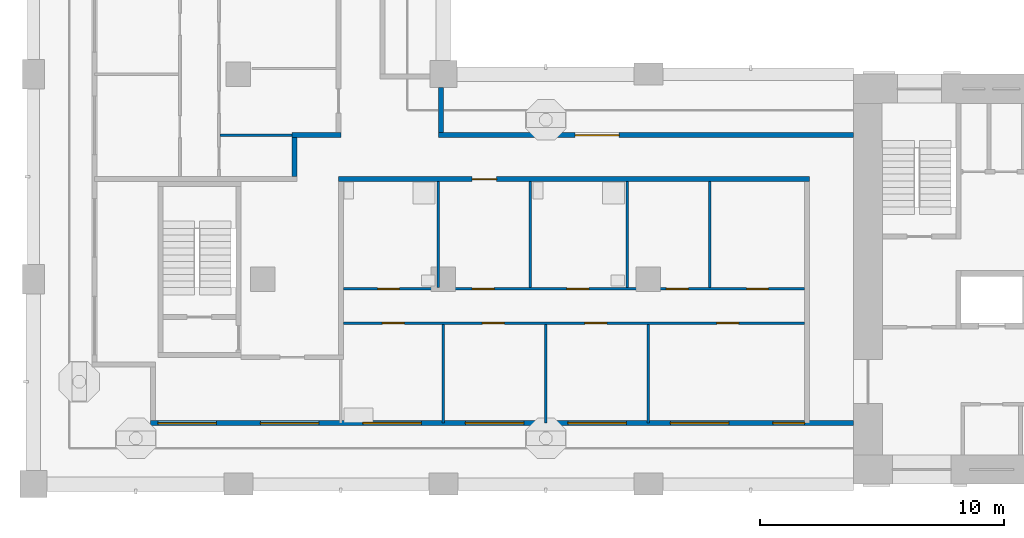
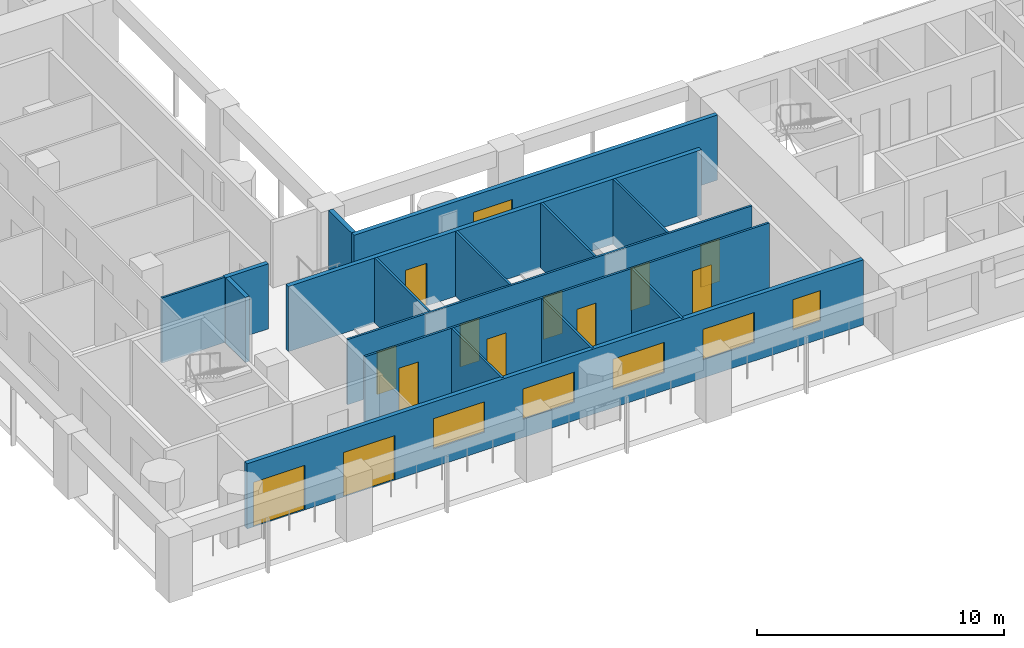
# One storey, part 2 of 13: 16 walls, 13 doors, 5 windows, 18 openings.
"""IFC4 building model written with IfcOpenShell, lengths in metres."""

from ifc_helpers import new_model, si_unit, direction, frame, frame_2d, origin, place, context, subcontext, project, spatial, rectangle, extrude, material, layer, layer_set, type_object, element, fill, save


model = new_model("IFC4")

# Units and contexts
model_context = context("Model", 3, precision=1e-05, world=origin(), true_north=direction((0.0, 1.0)))
body_context = subcontext(model_context, "Body", "Model", "MODEL_VIEW")
ifc_project = project(units=[si_unit("LENGTHUNIT", "METRE"), si_unit("AREAUNIT", "SQUARE_METRE"), si_unit("VOLUMEUNIT", "CUBIC_METRE"), si_unit("PLANEANGLEUNIT", "RADIAN"), si_unit("MASSUNIT", "GRAM", prefix="KILO")], contexts=[model_context])

# Site, building, storey
site_placement = place(None, origin())
site = spatial("IfcSite", under=ifc_project, at=site_placement, CompositionType="ELEMENT")
building_placement = place(site_placement, origin())
building = spatial("IfcBuilding", under=site, at=building_placement, Name="Vermilion Gate Residences", CompositionType="ELEMENT")
storey_placement = place(building_placement, frame((0.0, 0.0, 161.699951171875)))
storey = spatial("IfcBuildingStorey", under=building, at=storey_placement, Name="L41", CompositionType="ELEMENT", Elevation=161.699951171875)

# Wall, openings, doors, windows
ifc_material_1 = material(Name="Insulated steel stud wall with terracotta rainscreen", Category="masonry")
ifc_layer_1 = layer(ifc_material_1, 0.199951171875)
ifc_layer_set_1 = layer_set([ifc_layer_1], Name="EXTERNAL WALL 200 TERRACOTTA RAINSCREEN")
wall_type_1 = type_object("IfcWallType", Name="EXTERNAL WALL 200 TERRACOTTA RAINSCREEN", PredefinedType="SOLIDWALL", material=ifc_layer_set_1)
wall_1_placement = place(storey_placement, frame((13.199951171875, 10.89990234375, 0.0), z_axis=(0.0, 0.0, 1.0), x_axis=(1.0, 0.0, 0.0)))
wall_1 = element("IfcWall", 1, at=wall_1_placement, inside=storey, type_object=wall_type_1, Name="External wall", PredefinedType="SOLIDWALL", context=body_context, shape_type="SweptSolid", body=[
    extrude(rectangle(XDim=28.800048828125, YDim=0.199951171875, at=frame_2d((14.39990234375, 0.0))), origin(), (0.0, 0.0, 1.0), 3.219970703125),
])
opening_1_placement = place(wall_1_placement, frame((0.300048828125, 0.0, 0.0)))
opening_1 = element("IfcOpeningElement", 2, at=opening_1_placement, cuts=wall_1, Name="Opening DE41008", PredefinedType="OPENING", context=body_context, shape_type="SweptSolid", body=[
    extrude(rectangle(XDim=2.39990234375, YDim=2.199951171875, at=frame_2d((1.199951171875, 1.10009765625))), frame((0.0, 0.10986328125, 0.0), z_axis=(0.0, -1.0, 0.0), x_axis=(1.0, 0.0, 0.0)), (0.0, 0.0, 1.0), 0.219970703125),
])
opening_2_placement = place(wall_1_placement, frame((4.5, 0.0, 0.0)))
opening_2 = element("IfcOpeningElement", 3, at=opening_2_placement, cuts=wall_1, Name="Opening DE41009", PredefinedType="OPENING", context=body_context, shape_type="SweptSolid", body=[
    extrude(rectangle(XDim=2.39990234375, YDim=2.199951171875, at=frame_2d((1.199951171875, 1.10009765625))), frame((0.0, 0.10986328125, 0.0), z_axis=(0.0, -1.0, 0.0), x_axis=(1.0, 0.0, 0.0)), (0.0, 0.0, 1.0), 0.219970703125),
])
opening_3_placement = place(wall_1_placement, frame((8.699951171875, 0.0, 0.89990234375)))
opening_3 = element("IfcOpeningElement", 4, at=opening_3_placement, cuts=wall_1, Name="Opening WE41010", PredefinedType="OPENING", context=body_context, shape_type="SweptSolid", body=[
    extrude(rectangle(XDim=2.39990234375, YDim=1.5, at=frame_2d((1.199951171875, 0.75))), frame((0.0, 0.10986328125, 0.0), z_axis=(0.0, -1.0, 0.0), x_axis=(1.0, 0.0, 0.0)), (0.0, 0.0, 1.0), 0.219970703125),
])
opening_4_placement = place(wall_1_placement, frame((12.89990234375, 0.0, 0.89990234375)))
opening_4 = element("IfcOpeningElement", 5, at=opening_4_placement, cuts=wall_1, Name="Opening WE41011", PredefinedType="OPENING", context=body_context, shape_type="SweptSolid", body=[
    extrude(rectangle(XDim=2.39990234375, YDim=1.5, at=frame_2d((1.199951171875, 0.75))), frame((0.0, 0.10986328125, 0.0), z_axis=(0.0, -1.0, 0.0), x_axis=(1.0, 0.0, 0.0)), (0.0, 0.0, 1.0), 0.219970703125),
])
opening_5_placement = place(wall_1_placement, frame((17.10009765625, 0.0, 0.89990234375)))
opening_5 = element("IfcOpeningElement", 6, at=opening_5_placement, cuts=wall_1, Name="Opening WE41012", PredefinedType="OPENING", context=body_context, shape_type="SweptSolid", body=[
    extrude(rectangle(XDim=2.39990234375, YDim=1.5, at=frame_2d((1.199951171875, 0.75))), frame((0.0, 0.10986328125, 0.0), z_axis=(0.0, -1.0, 0.0), x_axis=(1.0, 0.0, 0.0)), (0.0, 0.0, 1.0), 0.219970703125),
])
opening_6_placement = place(wall_1_placement, frame((21.300048828125, 0.0, 0.89990234375)))
opening_6 = element("IfcOpeningElement", 7, at=opening_6_placement, cuts=wall_1, Name="Opening WE41013", PredefinedType="OPENING", context=body_context, shape_type="SweptSolid", body=[
    extrude(rectangle(XDim=2.39990234375, YDim=1.5, at=frame_2d((1.199951171875, 0.75))), frame((0.0, 0.10986328125, 0.0), z_axis=(0.0, -1.0, 0.0), x_axis=(1.0, 0.0, 0.0)), (0.0, 0.0, 1.0), 0.219970703125),
])
opening_7_placement = place(wall_1_placement, frame((25.5, 0.0, 0.89990234375)))
opening_7 = element("IfcOpeningElement", 8, at=opening_7_placement, cuts=wall_1, Name="Opening WE41014", PredefinedType="OPENING", context=body_context, shape_type="SweptSolid", body=[
    extrude(rectangle(XDim=1.300048828125, YDim=1.5, at=frame_2d((0.64990234375, 0.75))), frame((0.0, 0.10986328125, 0.0), z_axis=(0.0, -1.0, 0.0), x_axis=(1.0, 0.0, 0.0)), (0.0, 0.0, 1.0), 0.219970703125),
])
ifc_material_2 = material(Name="Aluminium and clear glass", Category="aluminium")
door_type_1 = type_object("IfcDoorType", Name="SLIDING GLAZED DOOR 2400 X 2200", OperationType="DOUBLE_DOOR_SLIDING", PredefinedType="DOOR", material=ifc_material_2)
door_1_placement = place(opening_1_placement, origin())
door_1 = element("IfcDoor", 9, at=door_1_placement, inside=storey, type_object=door_type_1, Name="Loggia sliding door", OperationType="DOUBLE_DOOR_SLIDING", OverallHeight=2.199951171875, OverallWidth=2.39990234375, PredefinedType="DOOR", context=body_context, shape_type="SweptSolid", body=[
    extrude(rectangle(XDim=2.39990234375, YDim=2.199951171875, at=frame_2d((1.199951171875, 1.10009765625))), frame((0.0, 0.02490234375, 0.0), z_axis=(0.0, -1.0, 0.0), x_axis=(1.0, 0.0, 0.0)), (0.0, 0.0, 1.0), 0.050048828125),
])
fill(opening_1, door_1)
door_2_placement = place(opening_2_placement, origin())
door_2 = element("IfcDoor", 10, at=door_2_placement, inside=storey, type_object=door_type_1, Name="Loggia sliding door", OperationType="DOUBLE_DOOR_SLIDING", OverallHeight=2.199951171875, OverallWidth=2.39990234375, PredefinedType="DOOR", context=body_context, shape_type="SweptSolid", body=[
    extrude(rectangle(XDim=2.39990234375, YDim=2.199951171875, at=frame_2d((1.199951171875, 1.10009765625))), frame((0.0, 0.02490234375, 0.0), z_axis=(0.0, -1.0, 0.0), x_axis=(1.0, 0.0, 0.0)), (0.0, 0.0, 1.0), 0.050048828125),
])
fill(opening_2, door_2)
ifc_material_3 = material(Name="Aluminium and clear glass", Category="aluminium")
window_type_1 = type_object("IfcWindowType", Name="WINDOW 1300 X 1500", PartitioningType="SINGLE_PANEL", PredefinedType="WINDOW", material=ifc_material_3)
window_1_placement = place(opening_7_placement, origin())
window_1 = element("IfcWindow", 11, at=window_1_placement, inside=storey, type_object=window_type_1, Name="Window", OverallHeight=1.5, OverallWidth=1.300048828125, PartitioningType="SINGLE_PANEL", PredefinedType="WINDOW", context=body_context, shape_type="SweptSolid", body=[
    extrude(rectangle(XDim=1.300048828125, YDim=1.5, at=frame_2d((0.64990234375, 0.75))), frame((0.0, 0.030029296875, 0.0), z_axis=(0.0, -1.0, 0.0), x_axis=(1.0, 0.0, 0.0)), (0.0, 0.0, 1.0), 0.06005859375),
])
fill(opening_7, window_1)
ifc_material_4 = material(Name="Aluminium and clear glass", Category="aluminium")
window_type_2 = type_object("IfcWindowType", Name="WINDOW 2400 X 1500", PartitioningType="SINGLE_PANEL", PredefinedType="WINDOW", material=ifc_material_4)
window_2_placement = place(opening_3_placement, origin())
window_2 = element("IfcWindow", 12, at=window_2_placement, inside=storey, type_object=window_type_2, Name="Window", OverallHeight=1.5, OverallWidth=2.39990234375, PartitioningType="SINGLE_PANEL", PredefinedType="WINDOW", context=body_context, shape_type="SweptSolid", body=[
    extrude(rectangle(XDim=2.39990234375, YDim=1.5, at=frame_2d((1.199951171875, 0.75))), frame((0.0, 0.030029296875, 0.0), z_axis=(0.0, -1.0, 0.0), x_axis=(1.0, 0.0, 0.0)), (0.0, 0.0, 1.0), 0.06005859375),
])
fill(opening_3, window_2)
window_3_placement = place(opening_4_placement, origin())
window_3 = element("IfcWindow", 13, at=window_3_placement, inside=storey, type_object=window_type_2, Name="Window", OverallHeight=1.5, OverallWidth=2.39990234375, PartitioningType="SINGLE_PANEL", PredefinedType="WINDOW", context=body_context, shape_type="SweptSolid", body=[
    extrude(rectangle(XDim=2.39990234375, YDim=1.5, at=frame_2d((1.199951171875, 0.75))), frame((0.0, 0.030029296875, 0.0), z_axis=(0.0, -1.0, 0.0), x_axis=(1.0, 0.0, 0.0)), (0.0, 0.0, 1.0), 0.06005859375),
])
fill(opening_4, window_3)
window_4_placement = place(opening_5_placement, origin())
window_4 = element("IfcWindow", 14, at=window_4_placement, inside=storey, type_object=window_type_2, Name="Window", OverallHeight=1.5, OverallWidth=2.39990234375, PartitioningType="SINGLE_PANEL", PredefinedType="WINDOW", context=body_context, shape_type="SweptSolid", body=[
    extrude(rectangle(XDim=2.39990234375, YDim=1.5, at=frame_2d((1.199951171875, 0.75))), frame((0.0, 0.030029296875, 0.0), z_axis=(0.0, -1.0, 0.0), x_axis=(1.0, 0.0, 0.0)), (0.0, 0.0, 1.0), 0.06005859375),
])
fill(opening_5, window_4)
window_5_placement = place(opening_6_placement, origin())
window_5 = element("IfcWindow", 15, at=window_5_placement, inside=storey, type_object=window_type_2, Name="Window", OverallHeight=1.5, OverallWidth=2.39990234375, PartitioningType="SINGLE_PANEL", PredefinedType="WINDOW", context=body_context, shape_type="SweptSolid", body=[
    extrude(rectangle(XDim=2.39990234375, YDim=1.5, at=frame_2d((1.199951171875, 0.75))), frame((0.0, 0.030029296875, 0.0), z_axis=(0.0, -1.0, 0.0), x_axis=(1.0, 0.0, 0.0)), (0.0, 0.0, 1.0), 0.06005859375),
])
fill(opening_6, window_5)

# Wall, opening, door
wall_2_placement = place(storey_placement, frame((42.0, 22.699951171875, 0.0), z_axis=(0.0, 0.0, 1.0), x_axis=(-1.0, 0.0, 0.0)))
wall_2 = element("IfcWall", 16, at=wall_2_placement, inside=storey, type_object=wall_type_1, Name="External wall", PredefinedType="SOLIDWALL", context=body_context, shape_type="SweptSolid", body=[
    extrude(rectangle(XDim=17.0, YDim=0.199951171875, at=frame_2d((8.5, 0.0))), origin(), (0.0, 0.0, 1.0), 3.219970703125),
])
opening_8_placement = place(wall_2_placement, frame((9.60009765625, 0.0, 0.0)))
opening_8 = element("IfcOpeningElement", 17, at=opening_8_placement, cuts=wall_2, Name="Opening DE41020", PredefinedType="OPENING", context=body_context, shape_type="SweptSolid", body=[
    extrude(rectangle(XDim=1.800048828125, YDim=2.39990234375, at=frame_2d((0.89990234375, 1.199951171875))), frame((0.0, 0.10986328125, 0.0), z_axis=(0.0, -1.0, 0.0), x_axis=(1.0, 0.0, 0.0)), (0.0, 0.0, 1.0), 0.219970703125),
])
ifc_material_5 = material(Name="Aluminium and clear glass", Category="aluminium")
door_type_2 = type_object("IfcDoorType", Name="GLAZED EXTERNAL DOOR 1800 X 2400", OperationType="DOUBLE_DOOR_SINGLE_SWING", PredefinedType="DOOR", material=ifc_material_5)
door_3_placement = place(opening_8_placement, frame((1.800048828125, 0.0, 0.0), z_axis=(0.0, 0.0, 1.0), x_axis=(-1.0, 0.0, 0.0)))
door_3 = element("IfcDoor", 18, at=door_3_placement, inside=storey, type_object=door_type_2, Name="Gallery door", OperationType="DOUBLE_DOOR_SINGLE_SWING", OverallHeight=2.39990234375, OverallWidth=1.800048828125, PredefinedType="DOOR", context=body_context, shape_type="SweptSolid", body=[
    extrude(rectangle(XDim=1.800048828125, YDim=2.39990234375, at=frame_2d((0.89990234375, 1.199951171875))), frame((0.0, 0.02490234375, 0.0), z_axis=(0.0, -1.0, 0.0), x_axis=(1.0, 0.0, 0.0)), (0.0, 0.0, 1.0), 0.050048828125),
])
fill(opening_8, door_3)

# Wall
wall_3_placement = place(storey_placement, frame((25.10009765625, 22.800048828125, 0.0), z_axis=(0.0, 0.0, 1.0), x_axis=(0.0, 1.0, 0.0)))
element("IfcWall", 19, at=wall_3_placement, inside=storey, type_object=wall_type_1, Name="External wall", PredefinedType="SOLIDWALL", context=body_context, shape_type="SweptSolid", body=[
    extrude(rectangle(XDim=1.849853515625, YDim=0.199951171875, at=frame_2d((0.9248046875, 0.0))), origin(), (0.0, 0.0, 1.0), 3.219970703125),
])

# Wall, openings, doors
ifc_material_6 = material(Name="Plasterboard on steel studs", Category="steel")
ifc_layer_2 = layer(ifc_material_6, 0.10009765625)
ifc_layer_set_2 = layer_set([ifc_layer_2], Name="PARTITION 100")
wall_type_2 = type_object("IfcWallType", Name="PARTITION 100", PredefinedType="PARTITIONING", material=ifc_layer_set_2)
wall_4_placement = place(storey_placement, frame((21.10009765625, 15.0, 0.0), z_axis=(0.0, 0.0, 1.0), x_axis=(1.0, 0.0, 0.0)))
wall_4 = element("IfcWall", 20, at=wall_4_placement, inside=storey, type_object=wall_type_2, Name="Partition", PredefinedType="PARTITIONING", context=body_context, shape_type="SweptSolid", body=[
    extrude(rectangle(XDim=18.89990234375, YDim=0.10009765625, at=frame_2d((9.449951171875, 0.0))), origin(), (0.0, 0.0, 1.0), 3.219970703125),
])
opening_9_placement = place(wall_4_placement, frame((1.60009765625, 0.0, 0.0)))
opening_9 = element("IfcOpeningElement", 21, at=opening_9_placement, cuts=wall_4, Name="Opening DA40002", PredefinedType="OPENING", context=body_context, shape_type="SweptSolid", body=[
    extrude(rectangle(XDim=0.89990234375, YDim=2.10009765625, at=frame_2d((0.449951171875, 1.050048828125))), frame((0.0, 0.06005859375, 0.0), z_axis=(0.0, -1.0, 0.0), x_axis=(1.0, 0.0, 0.0)), (0.0, 0.0, 1.0), 0.1201171875),
])
opening_10_placement = place(wall_4_placement, frame((5.699951171875, 0.0, 0.0)))
opening_10 = element("IfcOpeningElement", 22, at=opening_10_placement, cuts=wall_4, Name="Opening DA40003", PredefinedType="OPENING", context=body_context, shape_type="SweptSolid", body=[
    extrude(rectangle(XDim=0.89990234375, YDim=2.10009765625, at=frame_2d((0.449951171875, 1.050048828125))), frame((0.0, 0.06005859375, 0.0), z_axis=(0.0, -1.0, 0.0), x_axis=(1.0, 0.0, 0.0)), (0.0, 0.0, 1.0), 0.1201171875),
])
opening_11_placement = place(wall_4_placement, frame((9.89990234375, 0.0, 0.0)))
opening_11 = element("IfcOpeningElement", 23, at=opening_11_placement, cuts=wall_4, Name="Opening DA40004", PredefinedType="OPENING", context=body_context, shape_type="SweptSolid", body=[
    extrude(rectangle(XDim=0.89990234375, YDim=2.10009765625, at=frame_2d((0.449951171875, 1.050048828125))), frame((0.0, 0.06005859375, 0.0), z_axis=(0.0, -1.0, 0.0), x_axis=(1.0, 0.0, 0.0)), (0.0, 0.0, 1.0), 0.1201171875),
])
opening_12_placement = place(wall_4_placement, frame((15.300048828125, 0.0, 0.0)))
opening_12 = element("IfcOpeningElement", 24, at=opening_12_placement, cuts=wall_4, Name="Opening DA40005", PredefinedType="OPENING", context=body_context, shape_type="SweptSolid", body=[
    extrude(rectangle(XDim=0.89990234375, YDim=2.10009765625, at=frame_2d((0.449951171875, 1.050048828125))), frame((0.0, 0.06005859375, 0.0), z_axis=(0.0, -1.0, 0.0), x_axis=(1.0, 0.0, 0.0)), (0.0, 0.0, 1.0), 0.1201171875),
])
ifc_material_7 = material(Name="Timber", Category="wood")
door_type_3 = type_object("IfcDoorType", Name="INTERIOR DOOR 900 X 2100", OperationType="SINGLE_SWING_LEFT", PredefinedType="DOOR", material=ifc_material_7)
door_4_placement = place(opening_9_placement, frame((0.89990234375, 0.0, 0.0), z_axis=(0.0, 0.0, 1.0), x_axis=(-1.0, 0.0, 0.0)))
door_4 = element("IfcDoor", 25, at=door_4_placement, inside=storey, type_object=door_type_3, Name="Interior door", OperationType="SINGLE_SWING_LEFT", OverallHeight=2.10009765625, OverallWidth=0.89990234375, PredefinedType="DOOR", context=body_context, shape_type="SweptSolid", body=[
    extrude(rectangle(XDim=0.89990234375, YDim=2.10009765625, at=frame_2d((0.449951171875, 1.050048828125))), frame((0.0, 0.02490234375, 0.0), z_axis=(0.0, -1.0, 0.0), x_axis=(1.0, 0.0, 0.0)), (0.0, 0.0, 1.0), 0.050048828125),
])
fill(opening_9, door_4)
door_5_placement = place(opening_10_placement, frame((0.89990234375, 0.0, 0.0), z_axis=(0.0, 0.0, 1.0), x_axis=(-1.0, 0.0, 0.0)))
door_5 = element("IfcDoor", 26, at=door_5_placement, inside=storey, type_object=door_type_3, Name="Interior door", OperationType="SINGLE_SWING_RIGHT", OverallHeight=2.10009765625, OverallWidth=0.89990234375, PredefinedType="DOOR", context=body_context, shape_type="SweptSolid", body=[
    extrude(rectangle(XDim=0.89990234375, YDim=2.10009765625, at=frame_2d((0.449951171875, 1.050048828125))), frame((0.0, 0.02490234375, 0.0), z_axis=(0.0, -1.0, 0.0), x_axis=(1.0, 0.0, 0.0)), (0.0, 0.0, 1.0), 0.050048828125),
])
fill(opening_10, door_5)
door_6_placement = place(opening_11_placement, frame((0.89990234375, 0.0, 0.0), z_axis=(0.0, 0.0, 1.0), x_axis=(-1.0, 0.0, 0.0)))
door_6 = element("IfcDoor", 27, at=door_6_placement, inside=storey, type_object=door_type_3, Name="Interior door", OperationType="SINGLE_SWING_RIGHT", OverallHeight=2.10009765625, OverallWidth=0.89990234375, PredefinedType="DOOR", context=body_context, shape_type="SweptSolid", body=[
    extrude(rectangle(XDim=0.89990234375, YDim=2.10009765625, at=frame_2d((0.449951171875, 1.050048828125))), frame((0.0, 0.02490234375, 0.0), z_axis=(0.0, -1.0, 0.0), x_axis=(1.0, 0.0, 0.0)), (0.0, 0.0, 1.0), 0.050048828125),
])
fill(opening_11, door_6)
door_7_placement = place(opening_12_placement, frame((0.89990234375, 0.0, 0.0), z_axis=(0.0, 0.0, 1.0), x_axis=(-1.0, 0.0, 0.0)))
door_7 = element("IfcDoor", 28, at=door_7_placement, inside=storey, type_object=door_type_3, Name="Interior door", OperationType="SINGLE_SWING_LEFT", OverallHeight=2.10009765625, OverallWidth=0.89990234375, PredefinedType="DOOR", context=body_context, shape_type="SweptSolid", body=[
    extrude(rectangle(XDim=0.89990234375, YDim=2.10009765625, at=frame_2d((0.449951171875, 1.050048828125))), frame((0.0, 0.02490234375, 0.0), z_axis=(0.0, -1.0, 0.0), x_axis=(1.0, 0.0, 0.0)), (0.0, 0.0, 1.0), 0.050048828125),
])
fill(opening_12, door_7)

wall_5_placement = place(storey_placement, frame((21.10009765625, 16.39990234375, 0.0), z_axis=(0.0, 0.0, 1.0), x_axis=(1.0, 0.0, 0.0)))
wall_5 = element("IfcWall", 29, at=wall_5_placement, inside=storey, type_object=wall_type_2, Name="Partition", PredefinedType="PARTITIONING", context=body_context, shape_type="SweptSolid", body=[
    extrude(rectangle(XDim=18.89990234375, YDim=0.10009765625, at=frame_2d((9.449951171875, 0.0))), origin(), (0.0, 0.0, 1.0), 3.219970703125),
])
opening_13_placement = place(wall_5_placement, frame((5.280029296875, 0.0, 0.0)))
opening_13 = element("IfcOpeningElement", 30, at=opening_13_placement, cuts=wall_5, Name="Opening DA40006", PredefinedType="OPENING", context=body_context, shape_type="SweptSolid", body=[
    extrude(rectangle(XDim=0.89990234375, YDim=2.10009765625, at=frame_2d((0.449951171875, 1.050048828125))), frame((0.0, 0.06005859375, 0.0), z_axis=(0.0, -1.0, 0.0), x_axis=(1.0, 0.0, 0.0)), (0.0, 0.0, 1.0), 0.1201171875),
])
opening_14_placement = place(wall_5_placement, frame((1.39990234375, 0.0, 0.0)))
opening_14 = element("IfcOpeningElement", 31, at=opening_14_placement, cuts=wall_5, Name="Opening DA40007", PredefinedType="OPENING", context=body_context, shape_type="SweptSolid", body=[
    extrude(rectangle(XDim=0.89990234375, YDim=2.10009765625, at=frame_2d((0.449951171875, 1.050048828125))), frame((0.0, 0.06005859375, 0.0), z_axis=(0.0, -1.0, 0.0), x_axis=(1.0, 0.0, 0.0)), (0.0, 0.0, 1.0), 0.1201171875),
])
opening_15_placement = place(wall_5_placement, frame((9.159912109375, 0.0, 0.0)))
opening_15 = element("IfcOpeningElement", 32, at=opening_15_placement, cuts=wall_5, Name="Opening DA40008", PredefinedType="OPENING", context=body_context, shape_type="SweptSolid", body=[
    extrude(rectangle(XDim=0.89990234375, YDim=2.10009765625, at=frame_2d((0.449951171875, 1.050048828125))), frame((0.0, 0.06005859375, 0.0), z_axis=(0.0, -1.0, 0.0), x_axis=(1.0, 0.0, 0.0)), (0.0, 0.0, 1.0), 0.1201171875),
])
opening_16_placement = place(wall_5_placement, frame((13.239990234375, 0.0, 0.0)))
opening_16 = element("IfcOpeningElement", 33, at=opening_16_placement, cuts=wall_5, Name="Opening DA40009", PredefinedType="OPENING", context=body_context, shape_type="SweptSolid", body=[
    extrude(rectangle(XDim=0.89990234375, YDim=2.10009765625, at=frame_2d((0.449951171875, 1.050048828125))), frame((0.0, 0.06005859375, 0.0), z_axis=(0.0, -1.0, 0.0), x_axis=(1.0, 0.0, 0.0)), (0.0, 0.0, 1.0), 0.1201171875),
])
opening_17_placement = place(wall_5_placement, frame((16.52001953125, 0.0, 0.0)))
opening_17 = element("IfcOpeningElement", 34, at=opening_17_placement, cuts=wall_5, Name="Opening DA40010", PredefinedType="OPENING", context=body_context, shape_type="SweptSolid", body=[
    extrude(rectangle(XDim=0.89990234375, YDim=2.10009765625, at=frame_2d((0.449951171875, 1.050048828125))), frame((0.0, 0.06005859375, 0.0), z_axis=(0.0, -1.0, 0.0), x_axis=(1.0, 0.0, 0.0)), (0.0, 0.0, 1.0), 0.1201171875),
])
door_8_placement = place(opening_13_placement, origin())
door_8 = element("IfcDoor", 35, at=door_8_placement, inside=storey, type_object=door_type_3, Name="Interior door", OperationType="SINGLE_SWING_LEFT", OverallHeight=2.10009765625, OverallWidth=0.89990234375, PredefinedType="DOOR", context=body_context, shape_type="SweptSolid", body=[
    extrude(rectangle(XDim=0.89990234375, YDim=2.10009765625, at=frame_2d((0.449951171875, 1.050048828125))), frame((0.0, 0.02490234375, 0.0), z_axis=(0.0, -1.0, 0.0), x_axis=(1.0, 0.0, 0.0)), (0.0, 0.0, 1.0), 0.050048828125),
])
fill(opening_13, door_8)
door_9_placement = place(opening_14_placement, origin())
door_9 = element("IfcDoor", 36, at=door_9_placement, inside=storey, type_object=door_type_3, Name="Interior door", OperationType="SINGLE_SWING_RIGHT", OverallHeight=2.10009765625, OverallWidth=0.89990234375, PredefinedType="DOOR", context=body_context, shape_type="SweptSolid", body=[
    extrude(rectangle(XDim=0.89990234375, YDim=2.10009765625, at=frame_2d((0.449951171875, 1.050048828125))), frame((0.0, 0.02490234375, 0.0), z_axis=(0.0, -1.0, 0.0), x_axis=(1.0, 0.0, 0.0)), (0.0, 0.0, 1.0), 0.050048828125),
])
fill(opening_14, door_9)
door_10_placement = place(opening_15_placement, origin())
door_10 = element("IfcDoor", 37, at=door_10_placement, inside=storey, type_object=door_type_3, Name="Interior door", OperationType="SINGLE_SWING_RIGHT", OverallHeight=2.10009765625, OverallWidth=0.89990234375, PredefinedType="DOOR", context=body_context, shape_type="SweptSolid", body=[
    extrude(rectangle(XDim=0.89990234375, YDim=2.10009765625, at=frame_2d((0.449951171875, 1.050048828125))), frame((0.0, 0.02490234375, 0.0), z_axis=(0.0, -1.0, 0.0), x_axis=(1.0, 0.0, 0.0)), (0.0, 0.0, 1.0), 0.050048828125),
])
fill(opening_15, door_10)
door_11_placement = place(opening_16_placement, origin())
door_11 = element("IfcDoor", 38, at=door_11_placement, inside=storey, type_object=door_type_3, Name="Interior door", OperationType="SINGLE_SWING_LEFT", OverallHeight=2.10009765625, OverallWidth=0.89990234375, PredefinedType="DOOR", context=body_context, shape_type="SweptSolid", body=[
    extrude(rectangle(XDim=0.89990234375, YDim=2.10009765625, at=frame_2d((0.449951171875, 1.050048828125))), frame((0.0, 0.02490234375, 0.0), z_axis=(0.0, -1.0, 0.0), x_axis=(1.0, 0.0, 0.0)), (0.0, 0.0, 1.0), 0.050048828125),
])
fill(opening_16, door_11)
door_12_placement = place(opening_17_placement, origin())
door_12 = element("IfcDoor", 39, at=door_12_placement, inside=storey, type_object=door_type_3, Name="Interior door", OperationType="SINGLE_SWING_LEFT", OverallHeight=2.10009765625, OverallWidth=0.89990234375, PredefinedType="DOOR", context=body_context, shape_type="SweptSolid", body=[
    extrude(rectangle(XDim=0.89990234375, YDim=2.10009765625, at=frame_2d((0.449951171875, 1.050048828125))), frame((0.0, 0.02490234375, 0.0), z_axis=(0.0, -1.0, 0.0), x_axis=(1.0, 0.0, 0.0)), (0.0, 0.0, 1.0), 0.050048828125),
])
fill(opening_17, door_12)

# Walls
wall_6_placement = place(storey_placement, frame((16.050048828125, 22.699951171875, 0.0), z_axis=(0.0, 0.0, 1.0), x_axis=(1.0, 0.0, 0.0)))
element("IfcWall", 40, at=wall_6_placement, inside=storey, type_object=wall_type_2, Name="Partition", PredefinedType="PARTITIONING", context=body_context, shape_type="SweptSolid", body=[
    extrude(rectangle(XDim=2.949951171875, YDim=0.10009765625, at=frame_2d((1.47509765625, 0.0))), origin(), (0.0, 0.0, 1.0), 3.219970703125),
])
wall_7_placement = place(storey_placement, frame((24.97998046875, 16.449951171875, 0.0), z_axis=(0.0, 0.0, 1.0), x_axis=(0.0, 1.0, 0.0)))
element("IfcWall", 41, at=wall_7_placement, inside=storey, type_object=wall_type_2, Name="Partition", PredefinedType="PARTITIONING", context=body_context, shape_type="SweptSolid", body=[
    extrude(rectangle(XDim=4.35009765625, YDim=0.10009765625, at=frame_2d((2.175048828125, 0.0))), origin(), (0.0, 0.0, 1.0), 3.219970703125),
])
wall_8_placement = place(storey_placement, frame((25.199951171875, 10.89990234375, 0.0), z_axis=(0.0, 0.0, 1.0), x_axis=(0.0, 1.0, 0.0)))
element("IfcWall", 42, at=wall_8_placement, inside=storey, type_object=wall_type_2, Name="Partition", PredefinedType="PARTITIONING", context=body_context, shape_type="SweptSolid", body=[
    extrude(rectangle(XDim=4.050048828125, YDim=0.10009765625, at=frame_2d((2.02490234375, 0.0))), origin(), (0.0, 0.0, 1.0), 3.219970703125),
])
wall_9_placement = place(storey_placement, frame((28.760009765625, 16.449951171875, 0.0), z_axis=(0.0, 0.0, 1.0), x_axis=(0.0, 1.0, 0.0)))
element("IfcWall", 43, at=wall_9_placement, inside=storey, type_object=wall_type_2, Name="Partition", PredefinedType="PARTITIONING", context=body_context, shape_type="SweptSolid", body=[
    extrude(rectangle(XDim=4.35009765625, YDim=0.10009765625, at=frame_2d((2.175048828125, 0.0))), origin(), (0.0, 0.0, 1.0), 3.219970703125),
])
wall_10_placement = place(storey_placement, frame((29.39990234375, 10.89990234375, 0.0), z_axis=(0.0, 0.0, 1.0), x_axis=(0.0, 1.0, 0.0)))
element("IfcWall", 44, at=wall_10_placement, inside=storey, type_object=wall_type_2, Name="Partition", PredefinedType="PARTITIONING", context=body_context, shape_type="SweptSolid", body=[
    extrude(rectangle(XDim=4.050048828125, YDim=0.10009765625, at=frame_2d((2.02490234375, 0.0))), origin(), (0.0, 0.0, 1.0), 3.219970703125),
])
wall_11_placement = place(storey_placement, frame((32.739990234375, 16.449951171875, 0.0), z_axis=(0.0, 0.0, 1.0), x_axis=(0.0, 1.0, 0.0)))
element("IfcWall", 45, at=wall_11_placement, inside=storey, type_object=wall_type_2, Name="Partition", PredefinedType="PARTITIONING", context=body_context, shape_type="SweptSolid", body=[
    extrude(rectangle(XDim=4.35009765625, YDim=0.10009765625, at=frame_2d((2.175048828125, 0.0))), origin(), (0.0, 0.0, 1.0), 3.219970703125),
])
wall_12_placement = place(storey_placement, frame((33.60009765625, 10.89990234375, 0.0), z_axis=(0.0, 0.0, 1.0), x_axis=(0.0, 1.0, 0.0)))
element("IfcWall", 46, at=wall_12_placement, inside=storey, type_object=wall_type_2, Name="Partition", PredefinedType="PARTITIONING", context=body_context, shape_type="SweptSolid", body=[
    extrude(rectangle(XDim=4.050048828125, YDim=0.10009765625, at=frame_2d((2.02490234375, 0.0))), origin(), (0.0, 0.0, 1.0), 3.219970703125),
])
wall_13_placement = place(storey_placement, frame((36.1201171875, 16.449951171875, 0.0), z_axis=(0.0, 0.0, 1.0), x_axis=(0.0, 1.0, 0.0)))
element("IfcWall", 47, at=wall_13_placement, inside=storey, type_object=wall_type_2, Name="Partition", PredefinedType="PARTITIONING", context=body_context, shape_type="SweptSolid", body=[
    extrude(rectangle(XDim=4.35009765625, YDim=0.10009765625, at=frame_2d((2.175048828125, 0.0))), origin(), (0.0, 0.0, 1.0), 3.219970703125),
])

# Wall, opening, door
ifc_material_8 = material(Name="Fire-rated plasterboard on steel studs", Category="steel")
ifc_layer_3 = layer(ifc_material_8, 0.199951171875)
ifc_layer_set_3 = layer_set([ifc_layer_3], Name="PARTY WALL 200 EI 120")
wall_type_3 = type_object("IfcWallType", Name="PARTY WALL 200 EI 120", PredefinedType="PARTITIONING", material=ifc_layer_set_3)
wall_14_placement = place(storey_placement, frame((20.89990234375, 20.89990234375, 0.0), z_axis=(0.0, 0.0, 1.0), x_axis=(1.0, 0.0, 0.0)))
wall_14 = element("IfcWall", 48, at=wall_14_placement, inside=storey, type_object=wall_type_3, Name="Party and corridor wall", PredefinedType="PARTITIONING", context=body_context, shape_type="SweptSolid", body=[
    extrude(rectangle(XDim=19.300048828125, YDim=0.199951171875, at=frame_2d((9.64990234375, 0.0))), origin(), (0.0, 0.0, 1.0), 3.219970703125),
])
opening_18_placement = place(wall_14_placement, frame((5.47998046875, 0.0, 0.0)))
opening_18 = element("IfcOpeningElement", 49, at=opening_18_placement, cuts=wall_14, Name="Opening DA40011", PredefinedType="OPENING", context=body_context, shape_type="SweptSolid", body=[
    extrude(rectangle(XDim=1.0, YDim=2.10009765625, at=frame_2d((0.5, 1.050048828125))), frame((0.0, 0.10986328125, 0.0), z_axis=(0.0, -1.0, 0.0), x_axis=(1.0, 0.0, 0.0)), (0.0, 0.0, 1.0), 0.219970703125),
])
ifc_material_9 = material(Name="Steel", Category="steel")
door_type_4 = type_object("IfcDoorType", Name="ENTRANCE DOOR 1000 X 2100 FD30", OperationType="SINGLE_SWING_LEFT", PredefinedType="DOOR", material=ifc_material_9)
door_13_placement = place(opening_18_placement, frame((1.0, 0.0, 0.0), z_axis=(0.0, 0.0, 1.0), x_axis=(-1.0, 0.0, 0.0)))
door_13 = element("IfcDoor", 50, at=door_13_placement, inside=storey, type_object=door_type_4, Name="Entrance door", OperationType="SINGLE_SWING_LEFT", OverallHeight=2.10009765625, OverallWidth=1.0, PredefinedType="DOOR", context=body_context, shape_type="SweptSolid", body=[
    extrude(rectangle(XDim=1.0, YDim=2.10009765625, at=frame_2d((0.5, 1.050048828125))), frame((0.0, 0.02490234375, 0.0), z_axis=(0.0, -1.0, 0.0), x_axis=(1.0, 0.0, 0.0)), (0.0, 0.0, 1.0), 0.050048828125),
])
fill(opening_18, door_13)

# Walls
wall_15_placement = place(storey_placement, frame((19.0, 22.699951171875, 0.0), z_axis=(0.0, 0.0, 1.0), x_axis=(1.0, 0.0, 0.0)))
element("IfcWall", 51, at=wall_15_placement, inside=storey, type_object=wall_type_3, Name="Party and corridor wall", PredefinedType="PARTITIONING", context=body_context, shape_type="SweptSolid", body=[
    extrude(rectangle(XDim=2.0, YDim=0.199951171875, at=frame_2d((1.0, 0.0))), origin(), (0.0, 0.0, 1.0), 3.219970703125),
])
wall_16_placement = place(storey_placement, frame((19.10009765625, 21.0, 0.0), z_axis=(0.0, 0.0, 1.0), x_axis=(0.0, 1.0, 0.0)))
element("IfcWall", 52, at=wall_16_placement, inside=storey, type_object=wall_type_3, Name="Party and corridor wall", PredefinedType="PARTITIONING", context=body_context, shape_type="SweptSolid", body=[
    extrude(rectangle(XDim=1.60009765625, YDim=0.199951171875, at=frame_2d((0.800048828125, 0.0))), origin(), (0.0, 0.0, 1.0), 3.219970703125),
])

save(model, "model.ifc")
